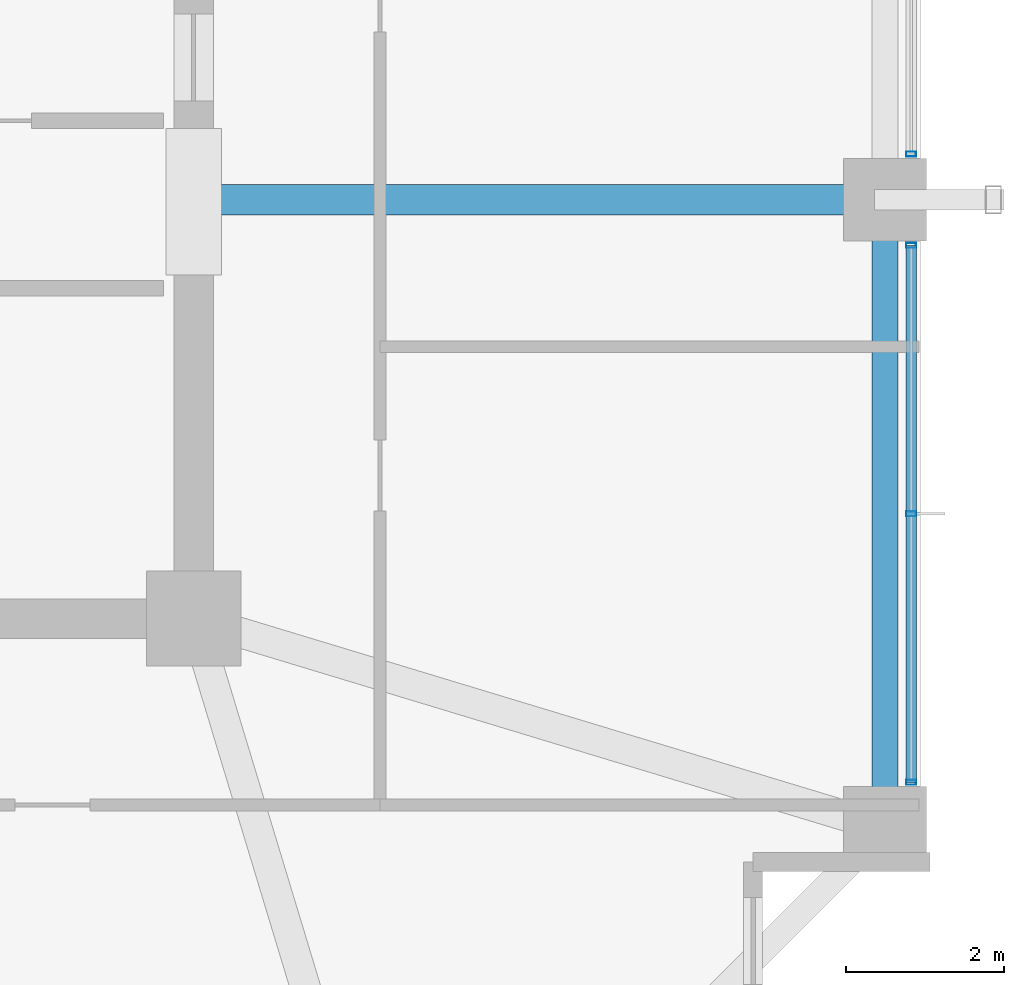
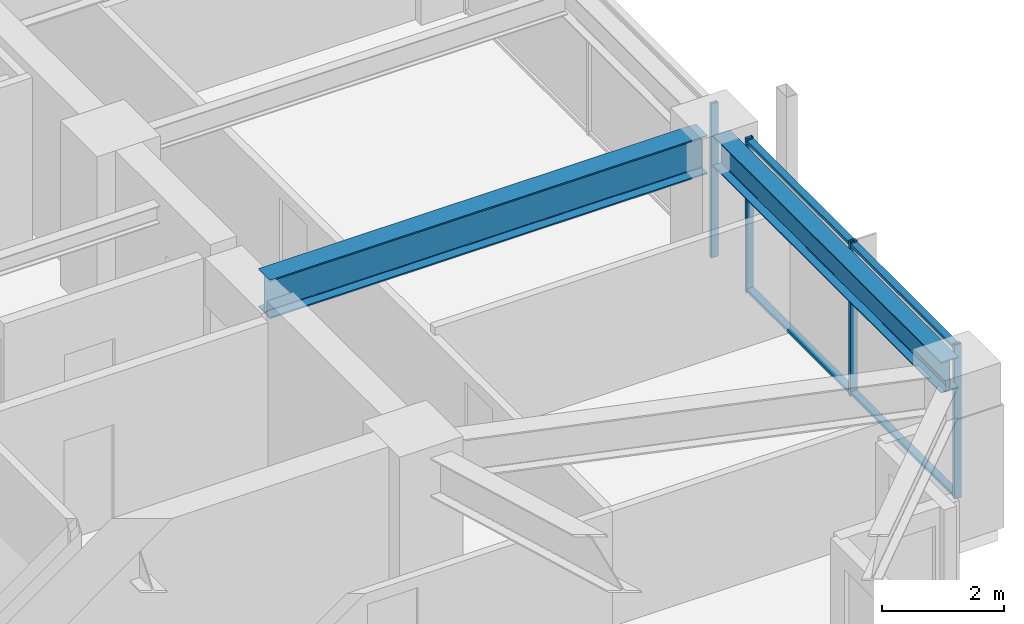
# One storey, part 11 of 31: 6 members, 2 beams, 2 elements without a shape of their own.
"""IFC4 building model written with IfcOpenShell, lengths in metres."""

import ifcopenshell
import ifcopenshell.guid

model = None  # the IFC model being written
_history = None  # IfcOwnerHistory: only IFC2X3 demands one
_inside = {}  # id of a spatial element -> (the spatial element, [elements in it])
_under = {}  # id of a project, library or spatial element -> (it, [spatial elements below it])
_declared = {}  # id of a project -> (the project, [libraries it declares])
_typed = {}  # id of a type object -> (the type object, [elements of that type])
_made_of = {}  # id of a material, layer set ... -> (it, [elements and type objects made of it])


def new_model(schema):
    """Start an empty IFC model of exactly this schema.

    Asked for "IFC4X3", IfcOpenShell would pick the latest addendum, in which some entities
    have other attributes; the version numbers below select the first issue.
    IFC2X3 requires an IfcOwnerHistory on every rooted entity: one is made here for all.
    """
    global model, _history
    if schema == "IFC4X3":
        model = ifcopenshell.file(schema_version=(4, 3, 0, 0))
    else:
        model = ifcopenshell.file(schema=schema)
    _inside.clear()
    _under.clear()
    _declared.clear()
    _typed.clear()
    _made_of.clear()
    _history = None
    if model.schema == "IFC2X3":
        org = make("IfcOrganization", Name="unknown")
        user = make(
            "IfcPersonAndOrganization",
            ThePerson=make("IfcPerson", FamilyName="unknown"),
            TheOrganization=org,
        )
        app = make(
            "IfcApplication",
            ApplicationDeveloper=org,
            Version="unknown",
            ApplicationFullName="unknown",
            ApplicationIdentifier="unknown",
        )
        _history = make(
            "IfcOwnerHistory",
            OwningUser=user,
            OwningApplication=app,
            ChangeAction="ADDED",
            CreationDate=0,
        )
    return model


def make(cls, **values):
    """One entity of the class cls with the attributes given. An attribute that is None is left unset."""
    return model.create_entity(
        cls, **{name: value for name, value in values.items() if value is not None}
    )


def rooted(cls, **values):
    """An entity with a GlobalId (a new one), such as an element, a storey or a relation."""
    return make(cls, GlobalId=ifcopenshell.guid.new(), OwnerHistory=_history, **values)


def si_unit(unit_type, name, prefix=None):
    """IfcSIUnit, for example si_unit("LENGTHUNIT", "METRE", prefix="MILLI")."""
    return make("IfcSIUnit", UnitType=unit_type, Prefix=prefix, Name=name)


def assignment(units):
    """IfcUnitAssignment: the units of a project."""
    return None if units is None else make("IfcUnitAssignment", Units=units)


def point(xyz):
    """IfcCartesianPoint."""
    return None if xyz is None else make("IfcCartesianPoint", Coordinates=xyz)


def direction(xyz):
    """IfcDirection."""
    return None if xyz is None else make("IfcDirection", DirectionRatios=xyz)


def frame(location, z_axis=None, x_axis=None):
    """IfcAxis2Placement3D, a coordinate frame: its origin and axes. An axis left out is left unset."""
    return make(
        "IfcAxis2Placement3D",
        Location=point(location),
        Axis=direction(z_axis),
        RefDirection=direction(x_axis),
    )


def frame_2d(location, x_axis=None):
    """IfcAxis2Placement2D, a coordinate frame in the plane: its origin and x axis."""
    return make(
        "IfcAxis2Placement2D", Location=point(location), RefDirection=direction(x_axis)
    )


def origin():
    """The frame at (0, 0, 0) with its axes left unset."""
    return frame((0.0, 0.0, 0.0))


def origin_2d():
    """The frame at (0, 0) in the plane with its x axis left unset."""
    return frame_2d((0.0, 0.0))


def place(relative_to, where):
    """IfcLocalPlacement: puts the frame where relative to a parent placement (None: the world)."""
    return make(
        "IfcLocalPlacement", PlacementRelTo=relative_to, RelativePlacement=where
    )


def context(
    kind, dimensions, precision=None, world=None, true_north=None, identifier=None
):
    """IfcGeometricRepresentationContext, for example the 3D "Model" context."""
    return make(
        "IfcGeometricRepresentationContext",
        ContextIdentifier=identifier,
        ContextType=kind,
        CoordinateSpaceDimension=dimensions,
        Precision=precision,
        WorldCoordinateSystem=world,
        TrueNorth=true_north,
    )


def subcontext(parent, identifier, kind, view, scale=None):
    """IfcGeometricRepresentationSubContext, for example "Body" below "Model"."""
    return make(
        "IfcGeometricRepresentationSubContext",
        ContextIdentifier=identifier,
        ContextType=kind,
        ParentContext=parent,
        TargetScale=scale,
        TargetView=view,
    )


def project(units=None, contexts=None):
    """IfcProject with its units and contexts."""
    return rooted(
        "IfcProject",
        Name="project",
        RepresentationContexts=contexts,
        UnitsInContext=assignment(units),
    )


def spatial(cls, under=None, at=None, **own):
    """A site, building, storey or space (cls), placed at a placement, below another one or the project."""
    s = rooted(cls, ObjectPlacement=at, **own)
    if under is not None:
        _under.setdefault(under.id(), (under, []))[1].append(s)
    return s


def profile(cls, at=None, kind="AREA", **sizes):
    """A parametric profile (cls). Its sizes go by their IFC names, for example OverallWidth=200.0."""
    return make(cls, ProfileType=kind, Position=at, **sizes)


def hollow_rectangle(**sizes):
    """IfcRectangleHollowProfileDef."""
    return profile("IfcRectangleHollowProfileDef", **sizes)


def i_section(**sizes):
    """IfcIShapeProfileDef."""
    return profile("IfcIShapeProfileDef", **sizes)


def extrude(swept, where, along, depth):
    """IfcExtrudedAreaSolid: the profile swept, set in the frame where, extruded along a direction by depth."""
    return make(
        "IfcExtrudedAreaSolid",
        SweptArea=swept,
        Position=where,
        ExtrudedDirection=direction(along),
        Depth=depth,
    )


def shape(context_of_items, identifier, shape_type, items):
    """IfcShapeRepresentation: the items that make up one representation, for example the "Body"."""
    return make(
        "IfcShapeRepresentation",
        ContextOfItems=context_of_items,
        RepresentationIdentifier=identifier,
        RepresentationType=shape_type,
        Items=items,
    )


def material(Name=None, Category=None):
    """IfcMaterial."""
    return make("IfcMaterial", Name=Name, Category=Category)


def material_profile(
    of_material, cross_section, Name=None, Category=None, Priority=None
):
    """IfcMaterialProfile: a cross section and its material."""
    return make(
        "IfcMaterialProfile",
        Name=Name,
        Material=of_material,
        Profile=cross_section,
        Priority=Priority,
        Category=Category,
    )


def profile_set(profiles, Name=None, composite=None):
    """IfcMaterialProfileSet."""
    return make(
        "IfcMaterialProfileSet",
        Name=Name,
        MaterialProfiles=profiles,
        CompositeProfile=composite,
    )


def made_of(thing, what):
    """Note that an element or type object is made of a material, layer set ...; save() writes the relation."""
    if what is not None:
        _made_of.setdefault(what.id(), (what, []))[1].append(thing)
    return thing


def type_object(cls, material=None, **own):
    """A type object (cls), such as IfcWallType, which elements share."""
    return made_of(rooted(cls, **own), material)


def element(
    cls,
    number,
    at=None,
    inside=None,
    cuts=None,
    type_object=None,
    material=None,
    context=None,
    identifier="Body",
    shape_type=None,
    held_by="IfcProductDefinitionShape",
    body=None,
    shapes=None,
    **own,
):
    """One element of the class cls, such as IfcWall. Its Tag is "e" and its number.

    at: its placement. inside: the storey or other place that contains it. cuts: it is an
    opening in that element (IfcRelVoidsElement). A single representation is given by context,
    identifier, shape_type and body (its items); several are given by shapes. held_by: the class
    of the entity that holds the representations. save() writes the other relations.
    """
    e = rooted(cls, Tag="e%d" % number, ObjectPlacement=at, **own)
    if body is not None:
        shapes = [shape(context, identifier, shape_type, body)]
    if shapes is not None:
        e.Representation = make(held_by, Representations=shapes)
    if inside is not None:
        _inside.setdefault(inside.id(), (inside, []))[1].append(e)
    if cuts is not None:
        rooted(
            "IfcRelVoidsElement", RelatingBuildingElement=cuts, RelatedOpeningElement=e
        )
    if type_object is not None:
        _typed.setdefault(type_object.id(), (type_object, []))[1].append(e)
    return made_of(e, material)


def aggregate(whole, parts):
    """IfcRelAggregates: a whole, such as a stair, and the parts it consists of."""
    return rooted("IfcRelAggregates", RelatingObject=whole, RelatedObjects=parts)


def save(model, path):
    """Write the relations noted so far, then the file.

    IfcRelAggregates (storeys below a building ...), IfcRelContainedInSpatialStructure (elements
    in a storey), IfcRelDefinesByType, IfcRelAssociatesMaterial and IfcRelDeclares: one each for
    every whole, place, type object, material and project.
    """
    for whole, parts in _under.values():
        aggregate(whole, parts)
    for where, things in _inside.values():
        rooted(
            "IfcRelContainedInSpatialStructure",
            RelatedElements=things,
            RelatingStructure=where,
        )
    for kind, things in _typed.values():
        rooted("IfcRelDefinesByType", RelatedObjects=things, RelatingType=kind)
    for what, things in _made_of.values():
        rooted("IfcRelAssociatesMaterial", RelatedObjects=things, RelatingMaterial=what)
    for by, libraries in _declared.values():
        rooted("IfcRelDeclares", RelatingContext=by, RelatedDefinitions=libraries)
    model.write(path)


model = new_model("IFC4")

# Units and contexts
model_context = context("Model", 3, precision=1e-05, world=origin(), true_north=direction((0.0, 1.0)))
body_context = subcontext(model_context, "Body", "Model", "MODEL_VIEW")
ifc_project = project(units=[si_unit("LENGTHUNIT", "METRE"), si_unit("AREAUNIT", "SQUARE_METRE"), si_unit("VOLUMEUNIT", "CUBIC_METRE"), si_unit("PLANEANGLEUNIT", "RADIAN"), si_unit("MASSUNIT", "GRAM", prefix="KILO")], contexts=[model_context])

# Site, building, storey
site_placement = place(None, origin())
site = spatial("IfcSite", under=ifc_project, at=site_placement, CompositionType="ELEMENT")
building_placement = place(site_placement, origin())
building = spatial("IfcBuilding", under=site, at=building_placement, Name="Kolvaren Belvedere", CompositionType="ELEMENT")
storey_placement = place(building_placement, frame((0.0, 0.0, 118.39990234375)))
storey = spatial("IfcBuildingStorey", under=building, at=storey_placement, Name="L34", CompositionType="ELEMENT", Elevation=118.39990234375)

# Beams
ifc_material_1 = material(Name="Structural steel ASTM A992 Grade 50", Category="steel")
ifc_material_profile_1 = material_profile(ifc_material_1, i_section(OverallWidth=0.381103515625, OverallDepth=0.77294921875, WebThickness=0.0166015625, FlangeThickness=0.027099609375, FilletRadius=0.02392578125, at=origin_2d()), Name="W30X173")
ifc_profile_set_1 = profile_set([ifc_material_profile_1], Name="Structural steel ASTM A992 Grade 50")
beam_type_1 = type_object("IfcBeamType", Name="BM-GIRD-W30X173", PredefinedType="BEAM", material=ifc_profile_set_1)
beam_1_placement = place(storey_placement, frame((10.14990234375, -4.60009765625, 2.693603515625), z_axis=(1.0, 0.0, 0.0), x_axis=(0.0, 1.0, 0.0)))
element("IfcBeam", 1, at=beam_1_placement, inside=storey, type_object=beam_type_1, Name="L34 East Radial Girder M", PredefinedType="BEAM", context=body_context, shape_type="SweptSolid", body=[
    extrude(i_section(OverallWidth=0.381103515625, OverallDepth=0.77294921875, WebThickness=0.0166015625, FlangeThickness=0.027099609375, FilletRadius=0.02392578125, at=origin_2d()), origin(), (0.0, 0.0, 1.0), 8.263916015625),
])
ifc_material_2 = material(Name="Structural steel ASTM A992 Grade 50", Category="steel")
ifc_material_profile_2 = material_profile(ifc_material_2, i_section(OverallWidth=0.324951171875, OverallDepth=0.615966796875, WebThickness=0.013916015625, FlangeThickness=0.021484375, FilletRadius=0.02001953125, at=origin_2d()), Name="W24X117")
ifc_profile_set_2 = profile_set([ifc_material_profile_2], Name="Structural steel ASTM A992 Grade 50")
beam_type_2 = type_object("IfcBeamType", Name="BM-SPAN-W24X117", PredefinedType="SPANDREL", material=ifc_profile_set_2)
beam_2_placement = place(storey_placement, frame((18.64990234375, -12.313720703125, 2.772216796875), z_axis=(0.0, 1.0, 0.0), x_axis=(-1.0, 0.0, 0.0)))
element("IfcBeam", 2, at=beam_2_placement, inside=storey, type_object=beam_type_2, Name="L34 Perimeter Spandrel E1-E2", PredefinedType="SPANDREL", context=body_context, shape_type="SweptSolid", body=[
    extrude(i_section(OverallWidth=0.324951171875, OverallDepth=0.615966796875, WebThickness=0.013916015625, FlangeThickness=0.021484375, FilletRadius=0.02001953125, at=origin_2d()), origin(), (0.0, 0.0, 1.0), 7.4775390625),
])

# Curtain wall, member
ifc_material_3 = material(Name="Anodised pale-metal aluminium AA 6063-T6", Category="aluminium")
curtain_wall_type = type_object("IfcCurtainWallType", Name="CW-Z3-WAIST", PredefinedType="NOTDEFINED", material=ifc_material_3)
curtain_wall_1_placement = place(storey_placement, origin())
curtain_wall_1 = element("IfcCurtainWall", 3, at=curtain_wall_1_placement, inside=storey, type_object=curtain_wall_type, Name="L34 Unitised Curtain Wall FCW-L34-E-B2", PredefinedType="NOTDEFINED")
ifc_material_4 = material(Name="Anodised pale-metal aluminium AA 6063-T6", Category="aluminium")
ifc_material_profile_3 = material_profile(ifc_material_4, hollow_rectangle(XDim=0.06494140625, YDim=0.1298828125, WallThickness=0.00390625, at=origin_2d()), Name="ALU-MUL-130X65")
ifc_profile_set_3 = profile_set([ifc_material_profile_3], Name="Anodised pale-metal aluminium AA 6063-T6")
member_type_1 = type_object("IfcMemberType", Name="CW-MUL-130", PredefinedType="MULLION", material=ifc_profile_set_3)
member_1_placement = place(storey_placement, frame((18.97998046875, -4.0224609375, 0.0), z_axis=(0.0, 0.0, 1.0), x_axis=(0.0, 1.0, 0.0)))
member_1 = element("IfcMember", 4, at=member_1_placement, type_object=member_type_1, Name="FCW-L34-E-B2 Unitised Mullion 3", PredefinedType="MULLION", context=body_context, shape_type="SweptSolid", body=[
    extrude(hollow_rectangle(XDim=0.06494140625, YDim=0.1298828125, WallThickness=0.00390625, at=origin_2d()), origin(), (0.0, 0.0, 1.0), 3.080078125),
])
aggregate(curtain_wall_1, [member_1])

# Curtain wall, members
curtain_wall_2_placement = place(storey_placement, origin())
curtain_wall_2 = element("IfcCurtainWall", 5, at=curtain_wall_2_placement, inside=storey, type_object=curtain_wall_type, Name="L34 Unitised Curtain Wall FCW-L34-E-B3", PredefinedType="NOTDEFINED")
member_2_placement = place(storey_placement, frame((18.97998046875, -5.177490234375, 0.0), z_axis=(0.0, 0.0, 1.0), x_axis=(0.0, 1.0, 0.0)))
member_2 = element("IfcMember", 6, at=member_2_placement, type_object=member_type_1, Name="FCW-L34-E-B3 Unitised Mullion 1", PredefinedType="MULLION", context=body_context, shape_type="SweptSolid", body=[
    extrude(hollow_rectangle(XDim=0.06494140625, YDim=0.1298828125, WallThickness=0.00390625, at=origin_2d()), origin(), (0.0, 0.0, 1.0), 3.080078125),
])
member_3_placement = place(storey_placement, frame((18.97998046875, -8.574951171875, 0.0), z_axis=(0.0, 0.0, 1.0), x_axis=(0.0, 1.0, 0.0)))
member_3 = element("IfcMember", 7, at=member_3_placement, type_object=member_type_1, Name="FCW-L34-E-B3 Unitised Mullion 2", PredefinedType="MULLION", context=body_context, shape_type="SweptSolid", body=[
    extrude(hollow_rectangle(XDim=0.06494140625, YDim=0.1298828125, WallThickness=0.00390625, at=origin_2d()), origin(), (0.0, 0.0, 1.0), 3.080078125),
])
member_4_placement = place(storey_placement, frame((18.97998046875, -11.972412109375, 0.0), z_axis=(0.0, 0.0, 1.0), x_axis=(0.0, 1.0, 0.0)))
member_4 = element("IfcMember", 8, at=member_4_placement, type_object=member_type_1, Name="FCW-L34-E-B3 Unitised Mullion 3", PredefinedType="MULLION", context=body_context, shape_type="SweptSolid", body=[
    extrude(hollow_rectangle(XDim=0.06494140625, YDim=0.1298828125, WallThickness=0.00390625, at=origin_2d()), origin(), (0.0, 0.0, 1.0), 3.080078125),
])
ifc_material_5 = material(Name="Anodised pale-metal aluminium AA 6063-T6", Category="aluminium")
ifc_material_profile_4 = material_profile(ifc_material_5, hollow_rectangle(XDim=0.06005859375, YDim=0.1298828125, WallThickness=0.00390625, at=origin_2d()), Name="ALU-TRN-130X60")
ifc_profile_set_4 = profile_set([ifc_material_profile_4], Name="Anodised pale-metal aluminium AA 6063-T6")
member_type_2 = type_object("IfcMemberType", Name="CW-TRN-130", PredefinedType="USERDEFINED", material=ifc_profile_set_4)
member_5_placement = place(storey_placement, frame((18.97998046875, -5.177490234375, 0.06005859375), z_axis=(0.0, -1.0, 0.0), x_axis=(0.0, 0.0, 1.0)))
member_5 = element("IfcMember", 9, at=member_5_placement, type_object=member_type_2, Name="FCW-L34-E-B3 Sill Transom", ObjectType="TRANSOM", PredefinedType="USERDEFINED", context=body_context, shape_type="SweptSolid", body=[
    extrude(hollow_rectangle(XDim=0.06005859375, YDim=0.1298828125, WallThickness=0.00390625, at=origin_2d()), origin(), (0.0, 0.0, 1.0), 6.794921875),
])
member_6_placement = place(storey_placement, frame((18.97998046875, -5.177490234375, 3.02001953125), z_axis=(0.0, -1.0, 0.0), x_axis=(0.0, 0.0, 1.0)))
member_6 = element("IfcMember", 10, at=member_6_placement, type_object=member_type_2, Name="FCW-L34-E-B3 Head Transom", ObjectType="TRANSOM", PredefinedType="USERDEFINED", context=body_context, shape_type="SweptSolid", body=[
    extrude(hollow_rectangle(XDim=0.06005859375, YDim=0.1298828125, WallThickness=0.00390625, at=origin_2d()), origin(), (0.0, 0.0, 1.0), 6.794921875),
])
aggregate(curtain_wall_2, [member_2, member_3, member_4, member_5, member_6])

save(model, "model.ifc")
